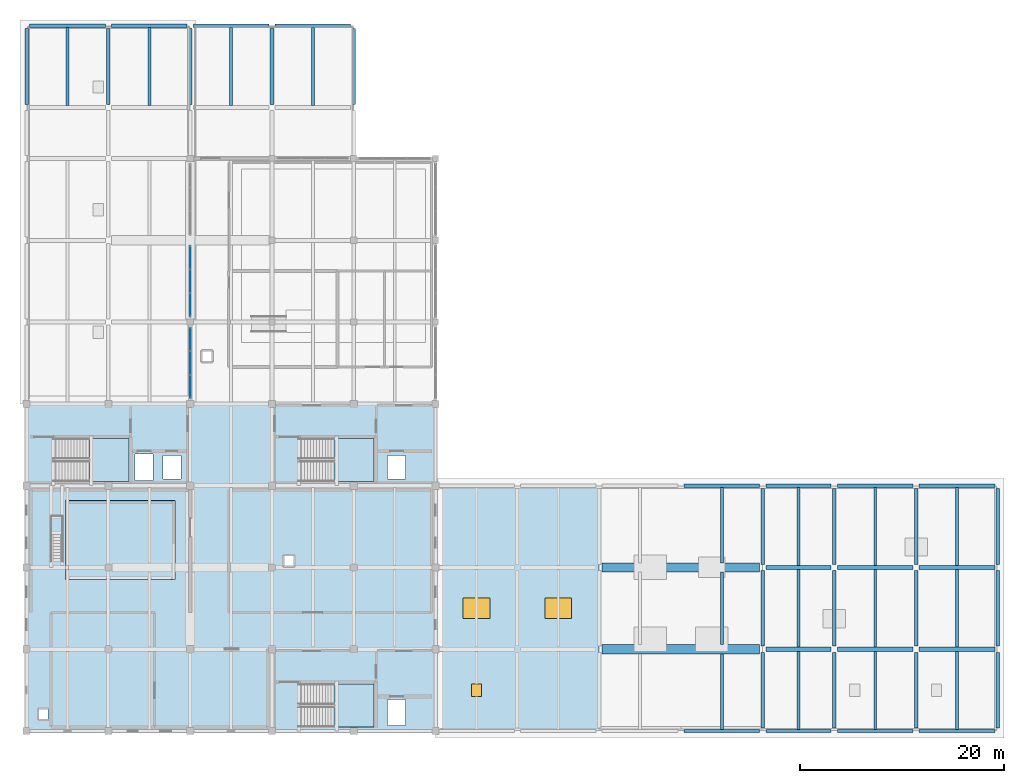
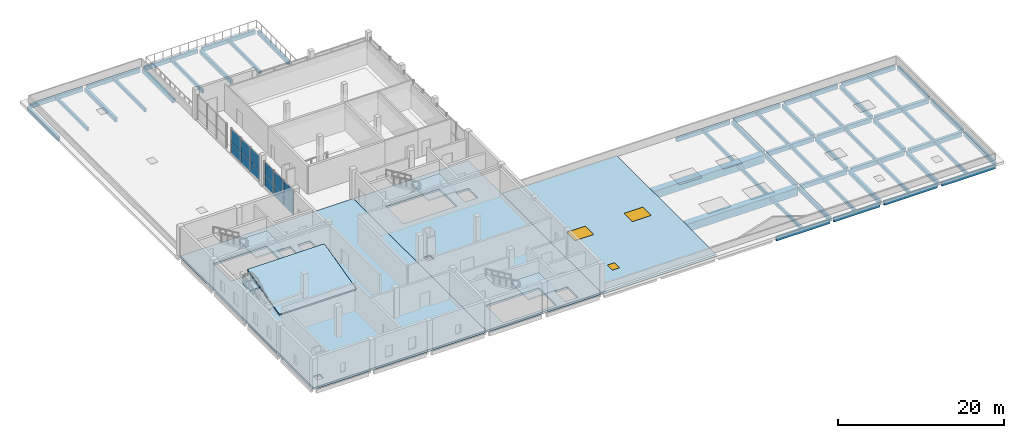
# One storey, part 7 of 14: 53 beams, 12 plates, 8 slabs, 2 windows, 1 door, 3 openings, 7 elements without a shape of their own.
"""IFC4 building model written with IfcOpenShell, lengths in metres."""

from ifc_helpers import new_model, si_unit, direction, frame, origin, origin_2d, place, context, subcontext, project, spatial, polyline, rectangle, outline, extrude, material, layer, layer_set, material_profile, profile_set, type_object, element, fill, aggregate, save


model = new_model("IFC4")

# Units and contexts
model_context = context("Model", 3, precision=1e-05, world=origin(), true_north=direction((0.0, 1.0)))
body_context = subcontext(model_context, "Body", "Model", "MODEL_VIEW")
ifc_project = project(units=[si_unit("LENGTHUNIT", "METRE"), si_unit("AREAUNIT", "SQUARE_METRE"), si_unit("VOLUMEUNIT", "CUBIC_METRE"), si_unit("PLANEANGLEUNIT", "RADIAN"), si_unit("MASSUNIT", "GRAM", prefix="KILO")], contexts=[model_context])

# Site, building, storey
site_placement = place(None, origin())
site = spatial("IfcSite", under=ifc_project, at=site_placement, CompositionType="ELEMENT")
building_placement = place(site_placement, origin())
building = spatial("IfcBuilding", under=site, at=building_placement, Name="Qorikala Patio Media Centre", CompositionType="ELEMENT")
storey_placement = place(building_placement, frame((0.0, 0.0, 23.39990234375)))
storey = spatial("IfcBuildingStorey", under=building, at=storey_placement, Name="L05", CompositionType="ELEMENT", Elevation=23.39990234375)

# Beams
ifc_material_1 = material(Name="Concrete C35/45", Category="concrete")
ifc_material_profile_1 = material_profile(ifc_material_1, rectangle(XDim=0.35009765625, YDim=0.60009765625, at=origin_2d()), Name="RC 350x600")
ifc_profile_set_1 = profile_set([ifc_material_profile_1], Name="Concrete C35/45")
beam_type_1 = type_object("IfcBeamType", Name="BM-G350X600", PredefinedType="BEAM", material=ifc_profile_set_1)
for number, where, z_axis, x_axis, name in (
    (1, (11.0, 64.300048828125, -0.599853515625), (0.0, 1.0, 0.0), (-1.0, 0.0, 0.0), "L05 Grid X=11 Beam 1574"),
    (2, (19.0, 64.300048828125, -0.599853515625), (0.0, 1.0, 0.0), (-1.0, 0.0, 0.0), "L05 Grid X=19 Beam 1581"),
    (3, (27.0, 64.300048828125, -0.599853515625), (0.0, 1.0, 0.0), (-1.0, 0.0, 0.0), "L05 Grid X=27 Beam 1590"),
    (4, (75.0, 3.300048828125, -0.599853515625), (0.0, 1.0, 0.0), (-1.0, 0.0, 0.0), "L05 Grid X=75 Beam 1611"),
    (5, (75.0, 11.300048828125, -0.599853515625), (0.0, 1.0, 0.0), (-1.0, 0.0, 0.0), "L05 Grid X=75 Beam 1612"),
    (6, (75.0, 19.300048828125, -0.599853515625), (0.0, 1.0, 0.0), (-1.0, 0.0, 0.0), "L05 Grid X=75 Beam 1613"),
    (7, (82.0, 3.300048828125, -0.599853515625), (0.0, 1.0, 0.0), (-1.0, 0.0, 0.0), "L05 Grid X=82 Beam 1614"),
    (8, (82.0, 11.300048828125, -0.599853515625), (0.0, 1.0, 0.0), (-1.0, 0.0, 0.0), "L05 Grid X=82 Beam 1615"),
    (9, (82.0, 19.300048828125, -0.599853515625), (0.0, 1.0, 0.0), (-1.0, 0.0, 0.0), "L05 Grid X=82 Beam 1616"),
    (10, (90.0, 3.300048828125, -0.599853515625), (0.0, 1.0, 0.0), (-1.0, 0.0, 0.0), "L05 Grid X=90 Beam 1617"),
    (11, (90.0, 11.300048828125, -0.599853515625), (0.0, 1.0, 0.0), (-1.0, 0.0, 0.0), "L05 Grid X=90 Beam 1618"),
    (12, (90.0, 19.300048828125, -0.599853515625), (0.0, 1.0, 0.0), (-1.0, 0.0, 0.0), "L05 Grid X=90 Beam 1619"),
):
    element("IfcBeam", number, at=place(storey_placement, frame(where, z_axis=z_axis, x_axis=x_axis)), inside=storey, type_object=beam_type_1, Name=name, PredefinedType="BEAM", context=body_context, shape_type="SweptSolid", body=[
        extrude(rectangle(XDim=0.35009765625, YDim=0.60009765625, at=origin_2d()), origin(), (0.0, 0.0, 1.0), 7.39990234375),
    ])
ifc_material_profile_2 = material_profile(ifc_material_1, rectangle(XDim=0.39990234375, YDim=0.64990234375, at=origin_2d()), Name="RC 400x650")
ifc_profile_set_2 = profile_set([ifc_material_profile_2], Name="Concrete C35/45")
beam_type_2 = type_object("IfcBeamType", Name="BM-G400X650", PredefinedType="BEAM", material=ifc_profile_set_2)
beam_1_placement = place(storey_placement, frame((75.300048828125, 11.0, -0.625), z_axis=(1.0, 0.0, 0.0), x_axis=(0.0, 1.0, 0.0)))
element("IfcBeam", 13, at=beam_1_placement, inside=storey, type_object=beam_type_2, Name="L05 Grid 11 Beam 1506", PredefinedType="BEAM", context=body_context, shape_type="SweptSolid", body=[
    extrude(rectangle(XDim=0.39990234375, YDim=0.64990234375, at=origin_2d()), origin(), (0.0, 0.0, 1.0), 6.39990234375),
])
for number, where, z_axis, x_axis, name in (
    (14, (82.300048828125, 11.0, -0.625), (1.0, 0.0, 0.0), (0.0, 1.0, 0.0), "L05 Grid 11 Beam 1507"),
    (15, (90.300048828125, 11.0, -0.625), (1.0, 0.0, 0.0), (0.0, 1.0, 0.0), "L05 Grid 11 Beam 1508"),
):
    element("IfcBeam", number, at=place(storey_placement, frame(where, z_axis=z_axis, x_axis=x_axis)), inside=storey, type_object=beam_type_2, Name=name, PredefinedType="BEAM", context=body_context, shape_type="SweptSolid", body=[
        extrude(rectangle(XDim=0.39990234375, YDim=0.64990234375, at=origin_2d()), origin(), (0.0, 0.0, 1.0), 7.39990234375),
    ])
beam_2_placement = place(storey_placement, frame((75.300048828125, 19.0, -0.625), z_axis=(1.0, 0.0, 0.0), x_axis=(0.0, 1.0, 0.0)))
element("IfcBeam", 16, at=beam_2_placement, inside=storey, type_object=beam_type_2, Name="L05 Grid 19 Beam 1516", PredefinedType="BEAM", context=body_context, shape_type="SweptSolid", body=[
    extrude(rectangle(XDim=0.39990234375, YDim=0.64990234375, at=origin_2d()), origin(), (0.0, 0.0, 1.0), 6.39990234375),
])
for number, where, z_axis, x_axis, name in (
    (17, (82.300048828125, 19.0, -0.625), (1.0, 0.0, 0.0), (0.0, 1.0, 0.0), "L05 Grid 19 Beam 1517"),
    (18, (90.300048828125, 19.0, -0.625), (1.0, 0.0, 0.0), (0.0, 1.0, 0.0), "L05 Grid 19 Beam 1518"),
):
    element("IfcBeam", number, at=place(storey_placement, frame(where, z_axis=z_axis, x_axis=x_axis)), inside=storey, type_object=beam_type_2, Name=name, PredefinedType="BEAM", context=body_context, shape_type="SweptSolid", body=[
        extrude(rectangle(XDim=0.39990234375, YDim=0.64990234375, at=origin_2d()), origin(), (0.0, 0.0, 1.0), 7.39990234375),
    ])
ifc_material_profile_3 = material_profile(ifc_material_1, rectangle(XDim=0.89990234375, YDim=1.14990234375, at=origin_2d()), Name="RC 900x1150")
ifc_profile_set_3 = profile_set([ifc_material_profile_3], Name="Concrete C35/45")
beam_type_3 = type_object("IfcBeamType", Name="BM-TR900X1150", PredefinedType="BEAM", material=ifc_profile_set_3)
for number, where, z_axis, x_axis, name in (
    (19, (59.300048828125, 11.0, -0.875), (1.0, 0.0, 0.0), (0.0, 1.0, 0.0), "L05 Grid 11 Beam 1505"),
    (20, (59.300048828125, 19.0, -0.875), (1.0, 0.0, 0.0), (0.0, 1.0, 0.0), "L05 Grid 19 Beam 1515"),
):
    element("IfcBeam", number, at=place(storey_placement, frame(where, z_axis=z_axis, x_axis=x_axis)), inside=storey, type_object=beam_type_3, Name=name, PredefinedType="BEAM", context=body_context, shape_type="SweptSolid", body=[
        extrude(rectangle(XDim=0.89990234375, YDim=1.14990234375, at=origin_2d()), origin(), (0.0, 0.0, 1.0), 15.39990234375),
    ])
ifc_material_profile_4 = material_profile(ifc_material_1, rectangle(XDim=0.280029296875, YDim=0.47998046875, at=origin_2d()), Name="RC 280x480")
ifc_profile_set_4 = profile_set([ifc_material_profile_4], Name="Concrete C35/45")
beam_type_4 = type_object("IfcBeamType", Name="JS-280X480", PredefinedType="JOIST", material=ifc_profile_set_4)
for number, where, z_axis, x_axis, name in (
    (21, (7.0, 64.199951171875, -0.539794921875), (0.0, 1.0, 0.0), (-1.0, 0.0, 0.0), "L05 Secondary Joist 1629"),
    (22, (15.0, 64.199951171875, -0.539794921875), (0.0, 1.0, 0.0), (-1.0, 0.0, 0.0), "L05 Secondary Joist 1636"),
    (23, (23.0, 64.199951171875, -0.539794921875), (0.0, 1.0, 0.0), (-1.0, 0.0, 0.0), "L05 Secondary Joist 1644"),
    (24, (31.0, 64.199951171875, -0.539794921875), (0.0, 1.0, 0.0), (-1.0, 0.0, 0.0), "L05 Secondary Joist 1650"),
):
    element("IfcBeam", number, at=place(storey_placement, frame(where, z_axis=z_axis, x_axis=x_axis)), inside=storey, type_object=beam_type_4, Name=name, PredefinedType="JOIST", context=body_context, shape_type="SweptSolid", body=[
        extrude(rectangle(XDim=0.280029296875, YDim=0.47998046875, at=origin_2d()), origin(), (0.0, 0.0, 1.0), 7.64013671875),
    ])
beam_3_placement = place(storey_placement, frame((71.0, 3.159912109375, -0.539794921875), z_axis=(0.0, 1.0, 0.0), x_axis=(-1.0, 0.0, 0.0)))
element("IfcBeam", 25, at=beam_3_placement, inside=storey, type_object=beam_type_4, Name="L05 Secondary Joist 1665", PredefinedType="JOIST", context=body_context, shape_type="SweptSolid", body=[
    extrude(rectangle(XDim=0.280029296875, YDim=0.47998046875, at=origin_2d()), origin(), (0.0, 0.0, 1.0), 7.39013671875),
])
beam_4_placement = place(storey_placement, frame((71.0, 11.449951171875, -0.539794921875), z_axis=(0.0, 1.0, 0.0), x_axis=(-1.0, 0.0, 0.0)))
element("IfcBeam", 26, at=beam_4_placement, inside=storey, type_object=beam_type_4, Name="L05 Secondary Joist 1666", PredefinedType="JOIST", context=body_context, shape_type="SweptSolid", body=[
    extrude(rectangle(XDim=0.280029296875, YDim=0.47998046875, at=origin_2d()), origin(), (0.0, 0.0, 1.0), 7.10009765625),
])
beam_5_placement = place(storey_placement, frame((71.0, 19.449951171875, -0.539794921875), z_axis=(0.0, 1.0, 0.0), x_axis=(-1.0, 0.0, 0.0)))
element("IfcBeam", 27, at=beam_5_placement, inside=storey, type_object=beam_type_4, Name="L05 Secondary Joist 1667", PredefinedType="JOIST", context=body_context, shape_type="SweptSolid", body=[
    extrude(rectangle(XDim=0.280029296875, YDim=0.47998046875, at=origin_2d()), origin(), (0.0, 0.0, 1.0), 7.39013671875),
])
beam_6_placement = place(storey_placement, frame((78.5, 3.159912109375, -0.539794921875), z_axis=(0.0, 1.0, 0.0), x_axis=(-1.0, 0.0, 0.0)))
element("IfcBeam", 28, at=beam_6_placement, inside=storey, type_object=beam_type_4, Name="L05 Secondary Joist 1668", PredefinedType="JOIST", context=body_context, shape_type="SweptSolid", body=[
    extrude(rectangle(XDim=0.280029296875, YDim=0.47998046875, at=origin_2d()), origin(), (0.0, 0.0, 1.0), 7.64013671875),
])
beam_7_placement = place(storey_placement, frame((78.5, 11.199951171875, -0.539794921875), z_axis=(0.0, 1.0, 0.0), x_axis=(-1.0, 0.0, 0.0)))
element("IfcBeam", 29, at=beam_7_placement, inside=storey, type_object=beam_type_4, Name="L05 Secondary Joist 1669", PredefinedType="JOIST", context=body_context, shape_type="SweptSolid", body=[
    extrude(rectangle(XDim=0.280029296875, YDim=0.47998046875, at=origin_2d()), origin(), (0.0, 0.0, 1.0), 7.60009765625),
])
for number, where, z_axis, x_axis, name in (
    (30, (78.5, 19.199951171875, -0.539794921875), (0.0, 1.0, 0.0), (-1.0, 0.0, 0.0), "L05 Secondary Joist 1670"),
    (31, (86.0, 3.159912109375, -0.539794921875), (0.0, 1.0, 0.0), (-1.0, 0.0, 0.0), "L05 Secondary Joist 1671"),
):
    element("IfcBeam", number, at=place(storey_placement, frame(where, z_axis=z_axis, x_axis=x_axis)), inside=storey, type_object=beam_type_4, Name=name, PredefinedType="JOIST", context=body_context, shape_type="SweptSolid", body=[
        extrude(rectangle(XDim=0.280029296875, YDim=0.47998046875, at=origin_2d()), origin(), (0.0, 0.0, 1.0), 7.64013671875),
    ])
beam_8_placement = place(storey_placement, frame((86.0, 11.199951171875, -0.539794921875), z_axis=(0.0, 1.0, 0.0), x_axis=(-1.0, 0.0, 0.0)))
element("IfcBeam", 32, at=beam_8_placement, inside=storey, type_object=beam_type_4, Name="L05 Secondary Joist 1672", PredefinedType="JOIST", context=body_context, shape_type="SweptSolid", body=[
    extrude(rectangle(XDim=0.280029296875, YDim=0.47998046875, at=origin_2d()), origin(), (0.0, 0.0, 1.0), 7.60009765625),
])
for number, where, z_axis, x_axis, name in (
    (33, (86.0, 19.199951171875, -0.539794921875), (0.0, 1.0, 0.0), (-1.0, 0.0, 0.0), "L05 Secondary Joist 1673"),
    (34, (94.0, 3.159912109375, -0.539794921875), (0.0, 1.0, 0.0), (-1.0, 0.0, 0.0), "L05 Secondary Joist 1674"),
):
    element("IfcBeam", number, at=place(storey_placement, frame(where, z_axis=z_axis, x_axis=x_axis)), inside=storey, type_object=beam_type_4, Name=name, PredefinedType="JOIST", context=body_context, shape_type="SweptSolid", body=[
        extrude(rectangle(XDim=0.280029296875, YDim=0.47998046875, at=origin_2d()), origin(), (0.0, 0.0, 1.0), 7.64013671875),
    ])
beam_9_placement = place(storey_placement, frame((94.0, 11.199951171875, -0.539794921875), z_axis=(0.0, 1.0, 0.0), x_axis=(-1.0, 0.0, 0.0)))
element("IfcBeam", 35, at=beam_9_placement, inside=storey, type_object=beam_type_4, Name="L05 Secondary Joist 1675", PredefinedType="JOIST", context=body_context, shape_type="SweptSolid", body=[
    extrude(rectangle(XDim=0.280029296875, YDim=0.47998046875, at=origin_2d()), origin(), (0.0, 0.0, 1.0), 7.60009765625),
])
beam_10_placement = place(storey_placement, frame((94.0, 19.199951171875, -0.539794921875), z_axis=(0.0, 1.0, 0.0), x_axis=(-1.0, 0.0, 0.0)))
element("IfcBeam", 36, at=beam_10_placement, inside=storey, type_object=beam_type_4, Name="L05 Secondary Joist 1676", PredefinedType="JOIST", context=body_context, shape_type="SweptSolid", body=[
    extrude(rectangle(XDim=0.280029296875, YDim=0.47998046875, at=origin_2d()), origin(), (0.0, 0.0, 1.0), 7.64013671875),
])
ifc_material_profile_5 = material_profile(ifc_material_1, rectangle(XDim=0.320068359375, YDim=0.580078125, at=origin_2d()), Name="RC 320x580")
ifc_profile_set_5 = profile_set([ifc_material_profile_5], Name="Concrete C35/45")
beam_type_5 = type_object("IfcBeamType", Name="SP-320X580", PredefinedType="SPANDREL", material=ifc_profile_set_5)
beam_11_placement = place(storey_placement, frame((67.300048828125, 3.0, -0.58984375), z_axis=(1.0, 0.0, 0.0), x_axis=(0.0, 1.0, 0.0)))
element("IfcBeam", 37, at=beam_11_placement, inside=storey, type_object=beam_type_5, Name="L05 Grid 3 Beam 1494", PredefinedType="SPANDREL", context=body_context, shape_type="SweptSolid", body=[
    extrude(rectangle(XDim=0.320068359375, YDim=0.580078125, at=origin_2d()), origin(), (0.0, 0.0, 1.0), 7.39990234375),
])
beam_12_placement = place(storey_placement, frame((75.300048828125, 3.0, -0.58984375), z_axis=(1.0, 0.0, 0.0), x_axis=(0.0, 1.0, 0.0)))
element("IfcBeam", 38, at=beam_12_placement, inside=storey, type_object=beam_type_5, Name="L05 Grid 3 Beam 1495", PredefinedType="SPANDREL", context=body_context, shape_type="SweptSolid", body=[
    extrude(rectangle(XDim=0.320068359375, YDim=0.580078125, at=origin_2d()), origin(), (0.0, 0.0, 1.0), 6.39990234375),
])
for number, where, z_axis, x_axis, name in (
    (39, (82.300048828125, 3.0, -0.58984375), (1.0, 0.0, 0.0), (0.0, 1.0, 0.0), "L05 Grid 3 Beam 1496"),
    (40, (90.300048828125, 3.0, -0.58984375), (1.0, 0.0, 0.0), (0.0, 1.0, 0.0), "L05 Grid 3 Beam 1497"),
    (41, (67.300048828125, 27.0, -0.58984375), (1.0, 0.0, 0.0), (0.0, 1.0, 0.0), "L05 Grid 27 Beam 1527"),
):
    element("IfcBeam", number, at=place(storey_placement, frame(where, z_axis=z_axis, x_axis=x_axis)), inside=storey, type_object=beam_type_5, Name=name, PredefinedType="SPANDREL", context=body_context, shape_type="SweptSolid", body=[
        extrude(rectangle(XDim=0.320068359375, YDim=0.580078125, at=origin_2d()), origin(), (0.0, 0.0, 1.0), 7.39990234375),
    ])
beam_13_placement = place(storey_placement, frame((75.300048828125, 27.0, -0.58984375), z_axis=(1.0, 0.0, 0.0), x_axis=(0.0, 1.0, 0.0)))
element("IfcBeam", 42, at=beam_13_placement, inside=storey, type_object=beam_type_5, Name="L05 Grid 27 Beam 1528", PredefinedType="SPANDREL", context=body_context, shape_type="SweptSolid", body=[
    extrude(rectangle(XDim=0.320068359375, YDim=0.580078125, at=origin_2d()), origin(), (0.0, 0.0, 1.0), 6.39990234375),
])
for number, where, z_axis, x_axis, name in (
    (43, (82.300048828125, 27.0, -0.58984375), (1.0, 0.0, 0.0), (0.0, 1.0, 0.0), "L05 Grid 27 Beam 1529"),
    (44, (90.300048828125, 27.0, -0.58984375), (1.0, 0.0, 0.0), (0.0, 1.0, 0.0), "L05 Grid 27 Beam 1530"),
    (45, (3.300048828125, 72.0, -0.58984375), (1.0, 0.0, 0.0), (0.0, 1.0, 0.0), "L05 Grid 72 Beam 1554"),
    (46, (11.300048828125, 72.0, -0.58984375), (1.0, 0.0, 0.0), (0.0, 1.0, 0.0), "L05 Grid 72 Beam 1555"),
    (47, (19.300048828125, 72.0, -0.58984375), (1.0, 0.0, 0.0), (0.0, 1.0, 0.0), "L05 Grid 72 Beam 1556"),
    (48, (27.300048828125, 72.0, -0.58984375), (1.0, 0.0, 0.0), (0.0, 1.0, 0.0), "L05 Grid 72 Beam 1557"),
    (49, (3.0, 64.300048828125, -0.58984375), (0.0, 1.0, 0.0), (-1.0, 0.0, 0.0), "L05 Grid X=3 Beam 1566"),
    (50, (35.0, 64.300048828125, -0.58984375), (0.0, 1.0, 0.0), (-1.0, 0.0, 0.0), "L05 Grid X=35 Beam 1597"),
    (51, (98.0, 3.300048828125, -0.58984375), (0.0, 1.0, 0.0), (-1.0, 0.0, 0.0), "L05 Grid X=98 Beam 1620"),
    (52, (98.0, 11.300048828125, -0.58984375), (0.0, 1.0, 0.0), (-1.0, 0.0, 0.0), "L05 Grid X=98 Beam 1621"),
    (53, (98.0, 19.300048828125, -0.58984375), (0.0, 1.0, 0.0), (-1.0, 0.0, 0.0), "L05 Grid X=98 Beam 1622"),
):
    element("IfcBeam", number, at=place(storey_placement, frame(where, z_axis=z_axis, x_axis=x_axis)), inside=storey, type_object=beam_type_5, Name=name, PredefinedType="SPANDREL", context=body_context, shape_type="SweptSolid", body=[
        extrude(rectangle(XDim=0.320068359375, YDim=0.580078125, at=origin_2d()), origin(), (0.0, 0.0, 1.0), 7.39990234375),
    ])

# Curtain wall, plates
ifc_material_2 = material(Name="Bronze Anodised Aluminium and Low-E Glass", Category="aluminium")
ifc_layer_1 = layer(ifc_material_2, 0.159912109375)
ifc_layer_set_1 = layer_set([ifc_layer_1], Name="Bronze Anodised Aluminium and Low-E Glass")
curtain_wall_type = type_object("IfcCurtainWallType", Name="CW-PAV-696X375", PredefinedType="USERDEFINED", material=ifc_layer_set_1)
curtain_wall_1_placement = place(storey_placement, origin())
curtain_wall_1 = element("IfcCurtainWall", 54, at=curtain_wall_1_placement, inside=storey, type_object=curtain_wall_type, Name="L05 Courtyard Curtain Wall 092", ObjectType="COURTYARD CURTAIN WALL", PredefinedType="USERDEFINED")
ifc_material_3 = material(Name="Low-E Double Glazing Glass", Category="glass")
ifc_layer_2 = layer(ifc_material_3, 0.028076171875)
ifc_layer_set_2 = layer_set([ifc_layer_2], Name="Low-E Double Glazing Glass")
plate_type = type_object("IfcPlateType", Name="CWP-28", PredefinedType="CURTAIN_PANEL", material=ifc_layer_set_2)
plate_1_placement = place(storey_placement, frame((19.0, 36.695068359375, 0.06005859375), z_axis=(0.0, 0.0, 1.0), x_axis=(0.0, 1.0, 0.0)))
plate_1 = element("IfcPlate", 55, at=plate_1_placement, type_object=plate_type, Name="CWP696375 panel 1.1", PredefinedType="CURTAIN_PANEL", context=body_context, shape_type="SweptSolid", body=[
    extrude(rectangle(XDim=2.22998046875, YDim=0.028076171875, at=origin_2d()), origin(), (0.0, 0.0, 1.0), 1.597412109375),
])
plate_2_placement = place(storey_placement, frame((19.0, 36.695068359375, 1.7177734375), z_axis=(0.0, 0.0, 1.0), x_axis=(0.0, 1.0, 0.0)))
plate_2 = element("IfcPlate", 56, at=plate_2_placement, type_object=plate_type, Name="CWP696375 panel 1.2", PredefinedType="CURTAIN_PANEL", context=body_context, shape_type="SweptSolid", body=[
    extrude(rectangle(XDim=2.22998046875, YDim=0.028076171875, at=origin_2d()), origin(), (0.0, 0.0, 1.0), 1.972412109375),
])
plate_3_placement = place(storey_placement, frame((19.0, 39.0, 0.06005859375), z_axis=(0.0, 0.0, 1.0), x_axis=(0.0, 1.0, 0.0)))
plate_3 = element("IfcPlate", 57, at=plate_3_placement, type_object=plate_type, Name="CWP696375 panel 2.1", PredefinedType="CURTAIN_PANEL", context=body_context, shape_type="SweptSolid", body=[
    extrude(rectangle(XDim=2.260009765625, YDim=0.028076171875, at=origin_2d()), origin(), (0.0, 0.0, 1.0), 1.597412109375),
])
plate_4_placement = place(storey_placement, frame((19.0, 39.0, 1.7177734375), z_axis=(0.0, 0.0, 1.0), x_axis=(0.0, 1.0, 0.0)))
plate_4 = element("IfcPlate", 58, at=plate_4_placement, type_object=plate_type, Name="CWP696375 panel 2.2", PredefinedType="CURTAIN_PANEL", context=body_context, shape_type="SweptSolid", body=[
    extrude(rectangle(XDim=2.260009765625, YDim=0.028076171875, at=origin_2d()), origin(), (0.0, 0.0, 1.0), 1.972412109375),
])
plate_5_placement = place(storey_placement, frame((19.0, 41.304931640625, 0.06005859375), z_axis=(0.0, 0.0, 1.0), x_axis=(0.0, 1.0, 0.0)))
plate_5 = element("IfcPlate", 59, at=plate_5_placement, type_object=plate_type, Name="CWP696375 panel 3.1", PredefinedType="CURTAIN_PANEL", context=body_context, shape_type="SweptSolid", body=[
    extrude(rectangle(XDim=2.22998046875, YDim=0.028076171875, at=origin_2d()), origin(), (0.0, 0.0, 1.0), 1.597412109375),
])
plate_6_placement = place(storey_placement, frame((19.0, 41.304931640625, 1.7177734375), z_axis=(0.0, 0.0, 1.0), x_axis=(0.0, 1.0, 0.0)))
plate_6 = element("IfcPlate", 60, at=plate_6_placement, type_object=plate_type, Name="CWP696375 panel 3.2", PredefinedType="CURTAIN_PANEL", context=body_context, shape_type="SweptSolid", body=[
    extrude(rectangle(XDim=2.22998046875, YDim=0.028076171875, at=origin_2d()), origin(), (0.0, 0.0, 1.0), 1.972412109375),
])
aggregate(curtain_wall_1, [plate_1, plate_2, plate_3, plate_4, plate_5, plate_6])

curtain_wall_2_placement = place(storey_placement, origin())
curtain_wall_2 = element("IfcCurtainWall", 61, at=curtain_wall_2_placement, inside=storey, type_object=curtain_wall_type, Name="L05 Courtyard Curtain Wall 093", ObjectType="COURTYARD CURTAIN WALL", PredefinedType="USERDEFINED")
plate_7_placement = place(storey_placement, frame((19.0, 44.695068359375, 0.06005859375), z_axis=(0.0, 0.0, 1.0), x_axis=(0.0, 1.0, 0.0)))
plate_7 = element("IfcPlate", 62, at=plate_7_placement, type_object=plate_type, Name="CWP696375 panel 1.1", PredefinedType="CURTAIN_PANEL", context=body_context, shape_type="SweptSolid", body=[
    extrude(rectangle(XDim=2.22998046875, YDim=0.028076171875, at=origin_2d()), origin(), (0.0, 0.0, 1.0), 1.597412109375),
])
plate_8_placement = place(storey_placement, frame((19.0, 44.695068359375, 1.7177734375), z_axis=(0.0, 0.0, 1.0), x_axis=(0.0, 1.0, 0.0)))
plate_8 = element("IfcPlate", 63, at=plate_8_placement, type_object=plate_type, Name="CWP696375 panel 1.2", PredefinedType="CURTAIN_PANEL", context=body_context, shape_type="SweptSolid", body=[
    extrude(rectangle(XDim=2.22998046875, YDim=0.028076171875, at=origin_2d()), origin(), (0.0, 0.0, 1.0), 1.972412109375),
])
plate_9_placement = place(storey_placement, frame((19.0, 47.0, 0.06005859375), z_axis=(0.0, 0.0, 1.0), x_axis=(0.0, 1.0, 0.0)))
plate_9 = element("IfcPlate", 64, at=plate_9_placement, type_object=plate_type, Name="CWP696375 panel 2.1", PredefinedType="CURTAIN_PANEL", context=body_context, shape_type="SweptSolid", body=[
    extrude(rectangle(XDim=2.260009765625, YDim=0.028076171875, at=origin_2d()), origin(), (0.0, 0.0, 1.0), 1.597412109375),
])
plate_10_placement = place(storey_placement, frame((19.0, 47.0, 1.7177734375), z_axis=(0.0, 0.0, 1.0), x_axis=(0.0, 1.0, 0.0)))
plate_10 = element("IfcPlate", 65, at=plate_10_placement, type_object=plate_type, Name="CWP696375 panel 2.2", PredefinedType="CURTAIN_PANEL", context=body_context, shape_type="SweptSolid", body=[
    extrude(rectangle(XDim=2.260009765625, YDim=0.028076171875, at=origin_2d()), origin(), (0.0, 0.0, 1.0), 1.972412109375),
])
plate_11_placement = place(storey_placement, frame((19.0, 49.304931640625, 0.06005859375), z_axis=(0.0, 0.0, 1.0), x_axis=(0.0, 1.0, 0.0)))
plate_11 = element("IfcPlate", 66, at=plate_11_placement, type_object=plate_type, Name="CWP696375 panel 3.1", PredefinedType="CURTAIN_PANEL", context=body_context, shape_type="SweptSolid", body=[
    extrude(rectangle(XDim=2.22998046875, YDim=0.028076171875, at=origin_2d()), origin(), (0.0, 0.0, 1.0), 1.597412109375),
])
plate_12_placement = place(storey_placement, frame((19.0, 49.304931640625, 1.7177734375), z_axis=(0.0, 0.0, 1.0), x_axis=(0.0, 1.0, 0.0)))
plate_12 = element("IfcPlate", 67, at=plate_12_placement, type_object=plate_type, Name="CWP696375 panel 3.2", PredefinedType="CURTAIN_PANEL", context=body_context, shape_type="SweptSolid", body=[
    extrude(rectangle(XDim=2.22998046875, YDim=0.028076171875, at=origin_2d()), origin(), (0.0, 0.0, 1.0), 1.972412109375),
])
aggregate(curtain_wall_2, [plate_7, plate_8, plate_9, plate_10, plate_11, plate_12])

# Slabs
ifc_layer_3 = layer(ifc_material_1, 0.300048828125)
ifc_layer_set_3 = layer_set([ifc_layer_3], Name="Concrete C35/45")
slab_type_1 = type_object("IfcSlabType", Name="SL-FLOOR-300", PredefinedType="FLOOR", material=ifc_layer_set_3)
slab_1_placement = place(storey_placement, frame((0.0, 0.0, -0.2998046875)))
element("IfcSlab", 68, at=slab_1_placement, inside=storey, type_object=slab_type_1, Name="L05 V1A Slab 1.1", PredefinedType="FLOOR", context=body_context, shape_type="SweptSolid", body=[
    extrude(outline(polyline([(3.0, 35.0), (27.0, 35.0), (27.0, 3.0), (3.0, 3.0), (3.0, 35.0)]), holes=[polyline([(5.10009765625, 5.10009765625), (4.199951171875, 5.10009765625), (4.199951171875, 4.199951171875), (5.10009765625, 4.199951171875), (5.10009765625, 5.10009765625)]), polyline([(15.3798828125, 27.52001953125), (15.3798828125, 30.080078125), (13.6201171875, 30.080078125), (13.6201171875, 27.52001953125), (15.3798828125, 27.52001953125)]), polyline([(18.080078125, 29.929931640625), (16.320068359375, 29.929931640625), (16.320068359375, 27.669921875), (18.080078125, 27.669921875), (18.080078125, 29.929931640625)]), polyline([(13.0, 31.60009765625), (5.60009765625, 31.60009765625), (5.60009765625, 27.39990234375), (13.0, 27.39990234375), (13.0, 31.60009765625)])]), origin(), (0.0, 0.0, 1.0), 0.2998046875),
])
slab_2_placement = place(storey_placement, frame((0.0, 0.0, -0.2998046875)))
element("IfcSlab", 69, at=slab_2_placement, inside=storey, type_object=slab_type_1, Name="L05 V1B Slab 2.1", PredefinedType="FLOOR", context=body_context, shape_type="SweptSolid", body=[
    extrude(outline(polyline([(43.0, 3.0), (27.0, 3.0), (27.0, 35.0), (43.0, 35.0), (43.0, 3.0)]), holes=[polyline([(40.080078125, 6.080078125), (38.320068359375, 6.080078125), (38.320068359375, 3.52001953125), (40.080078125, 3.52001953125), (40.080078125, 6.080078125)]), polyline([(37.0, 7.60009765625), (29.60009765625, 7.60009765625), (29.60009765625, 3.39990234375), (37.0, 3.39990234375), (37.0, 7.60009765625)]), polyline([(29.10009765625, 19.199951171875), (29.10009765625, 20.10009765625), (28.199951171875, 20.10009765625), (28.199951171875, 19.199951171875), (29.10009765625, 19.199951171875)]), polyline([(40.080078125, 29.929931640625), (38.320068359375, 29.929931640625), (38.320068359375, 27.669921875), (40.080078125, 27.669921875), (40.080078125, 29.929931640625)]), polyline([(37.0, 27.39990234375), (37.0, 31.60009765625), (29.60009765625, 31.60009765625), (29.60009765625, 27.39990234375), (37.0, 27.39990234375)])]), origin(), (0.0, 0.0, 1.0), 0.2998046875),
])

# Stair, slab
ifc_material_4 = material(Name="Precast concrete C40/50", Category="concrete")
stair_type_1 = type_object("IfcStairType", Name="ST-DL-26R173W200", PredefinedType="HALF_TURN_STAIR", material=ifc_material_4)
stair_1_placement = place(storey_placement, origin())
stair_1 = element("IfcStair", 70, at=stair_1_placement, inside=storey, type_object=stair_type_1, Name="L05 Core C1 Exit Stair ST-1", PredefinedType="HALF_TURN_STAIR")
ifc_layer_4 = layer(ifc_material_4, 0.199951171875)
ifc_layer_set_4 = layer_set([ifc_layer_4], Name="Precast concrete C40/50")
slab_type_2 = type_object("IfcSlabType", Name="SL-LAND-200", PredefinedType="LANDING", material=ifc_layer_set_4)
slab_3_placement = place(storey_placement, frame((0.0, 0.0, 2.050048828125)))
slab_3 = element("IfcSlab", 71, at=slab_3_placement, type_object=slab_type_2, Name="ST-1 landing 1", PredefinedType="LANDING", context=body_context, shape_type="SweptSolid", body=[
    extrude(outline(polyline([(33.080078125, 3.39990234375), (37.0, 3.39990234375), (37.0, 7.60009765625), (33.080078125, 7.60009765625), (33.080078125, 3.39990234375)])), origin(), (0.0, 0.0, 1.0), 0.199951171875),
])
aggregate(stair_1, [slab_3])

stair_2_placement = place(storey_placement, origin())
stair_2 = element("IfcStair", 72, at=stair_2_placement, inside=storey, type_object=stair_type_1, Name="L05 Core C2 Exit Stair ST-2", PredefinedType="HALF_TURN_STAIR")
slab_4_placement = place(storey_placement, frame((0.0, 0.0, 2.050048828125)))
slab_4 = element("IfcSlab", 73, at=slab_4_placement, type_object=slab_type_2, Name="ST-2 landing 1", PredefinedType="LANDING", context=body_context, shape_type="SweptSolid", body=[
    extrude(outline(polyline([(9.080078125, 27.39990234375), (13.0, 27.39990234375), (13.0, 31.60009765625), (9.080078125, 31.60009765625), (9.080078125, 27.39990234375)])), origin(), (0.0, 0.0, 1.0), 0.199951171875),
])
aggregate(stair_2, [slab_4])

stair_3_placement = place(storey_placement, origin())
stair_3 = element("IfcStair", 74, at=stair_3_placement, inside=storey, type_object=stair_type_1, Name="L05 Core C5 Exit Stair ST-5", PredefinedType="HALF_TURN_STAIR")
slab_5_placement = place(storey_placement, frame((0.0, 0.0, 2.050048828125)))
slab_5 = element("IfcSlab", 75, at=slab_5_placement, type_object=slab_type_2, Name="ST-5 landing 1", PredefinedType="LANDING", context=body_context, shape_type="SweptSolid", body=[
    extrude(outline(polyline([(33.080078125, 27.39990234375), (37.0, 27.39990234375), (37.0, 31.60009765625), (33.080078125, 31.60009765625), (33.080078125, 27.39990234375)])), origin(), (0.0, 0.0, 1.0), 0.199951171875),
])
aggregate(stair_3, [slab_5])

stair_type_2 = type_object("IfcStairType", Name="ST-VOM-STR", PredefinedType="STRAIGHT_RUN_STAIR", material=ifc_material_1)
stair_4_placement = place(storey_placement, origin())
stair_4 = element("IfcStair", 76, at=stair_4_placement, inside=storey, type_object=stair_type_2, Name="Vomitory Stair VS-07", PredefinedType="STRAIGHT_RUN_STAIR")
slab_6_placement = place(storey_placement, frame((0.0, 0.0, 1.60009765625)))
slab_6 = element("IfcSlab", 77, at=slab_6_placement, type_object=slab_type_2, Name="VS-07 landing 1", PredefinedType="LANDING", context=body_context, shape_type="SweptSolid", body=[
    extrude(outline(polyline([(5.324951171875, 22.25), (6.574951171875, 22.25), (6.574951171875, 24.050048828125), (5.324951171875, 24.050048828125), (5.324951171875, 22.25)])), origin(), (0.0, 0.0, 1.0), 0.199951171875),
])
aggregate(stair_4, [slab_6])

# Roof, slab, openings, door, windows
roof_type = type_object("IfcRoofType", Name="ROOF-FLAT", PredefinedType="FLAT_ROOF", material=ifc_material_1)
roof_placement = place(storey_placement, origin())
roof = element("IfcRoof", 78, at=roof_placement, inside=storey, type_object=roof_type, Name="L05 Flat Roof RF-V2-1", PredefinedType="FLAT_ROOF")
ifc_layer_5 = layer(ifc_material_1, 0.260009765625)
ifc_layer_set_5 = layer_set([ifc_layer_5], Name="Concrete C35/45")
slab_type_3 = type_object("IfcSlabType", Name="SL-ROOF-180", PredefinedType="ROOF", material=ifc_layer_set_5)
slab_7_placement = place(storey_placement, frame((0.0, 0.0, -0.2998046875)))
slab_7 = element("IfcSlab", 79, at=slab_7_placement, type_object=slab_type_3, Name="L05 Flat Roof Slab RF-V2-1", PredefinedType="ROOF", context=body_context, shape_type="SweptSolid", body=[
    extrude(outline(polyline([(43.0, 3.0), (59.0, 3.0), (59.0, 27.0), (43.0, 27.0), (43.0, 3.0)])), origin(), (0.0, 0.0, 1.0), 0.2998046875),
])
opening_1_placement = place(slab_7_placement, frame((47.0, 15.0, 0.0)))
opening_1 = element("IfcOpeningElement", 80, at=opening_1_placement, cuts=slab_7, Name="Opening SK-260", PredefinedType="OPENING", context=body_context, shape_type="SweptSolid", body=[
    extrude(rectangle(XDim=2.60009765625, YDim=2.0, at=origin_2d()), frame((0.0, 0.0, -0.010009765625)), (0.0, 0.0, 1.0), 0.31982421875),
])
opening_2_placement = place(slab_7_placement, frame((55.0, 15.0, 0.0)))
opening_2 = element("IfcOpeningElement", 81, at=opening_2_placement, cuts=slab_7, Name="Opening SK-260", PredefinedType="OPENING", context=body_context, shape_type="SweptSolid", body=[
    extrude(rectangle(XDim=2.60009765625, YDim=2.0, at=origin_2d()), frame((0.0, 0.0, -0.010009765625)), (0.0, 0.0, 1.0), 0.31982421875),
])
opening_3_placement = place(slab_7_placement, frame((47.0, 7.0, 0.0)))
opening_3 = element("IfcOpeningElement", 82, at=opening_3_placement, cuts=slab_7, Name="Opening TH01", PredefinedType="OPENING", context=body_context, shape_type="SweptSolid", body=[
    extrude(rectangle(XDim=1.0, YDim=1.199951171875, at=origin_2d()), frame((0.0, 0.0, -0.010009765625)), (0.0, 0.0, 1.0), 0.31982421875),
])
ifc_material_5 = material(Name="Insulated Aluminium Trapdoor", Category="aluminium")
door_type = type_object("IfcDoorType", Name="DR-HAT-100X120", OperationType="NOTDEFINED", PredefinedType="TRAPDOOR", material=ifc_material_5)
door_placement = place(opening_3_placement, frame((0.0, 0.0, 0.249755859375)))
door = element("IfcDoor", 83, at=door_placement, inside=storey, type_object=door_type, Name="L05 Roof Maintenance Access Hatch TH-01", OperationType="SINGLE_SWING_LEFT", OverallHeight=1.199951171875, OverallWidth=1.0, PredefinedType="TRAPDOOR", context=body_context, shape_type="SweptSolid", body=[
    extrude(rectangle(XDim=1.0, YDim=1.199951171875, at=origin_2d()), origin(), (0.0, 0.0, 1.0), 0.050048828125),
])
fill(opening_3, door)
ifc_material_6 = material(Name="Laminated Hail-Resistant Low-E Skylight Glass", Category="glass")
window_type = type_object("IfcWindowType", Name="SK-FOY-260X200", PartitioningType="SINGLE_PANEL", PredefinedType="SKYLIGHT", material=ifc_material_6)
window_1_placement = place(opening_1_placement, frame((0.0, 0.0, 0.249755859375)))
window_1 = element("IfcWindow", 84, at=window_1_placement, inside=storey, type_object=window_type, Name="L05 Roof Skylight SK-05", OverallHeight=2.0, OverallWidth=2.60009765625, PartitioningType="SINGLE_PANEL", PredefinedType="SKYLIGHT", context=body_context, shape_type="SweptSolid", body=[
    extrude(rectangle(XDim=2.60009765625, YDim=2.0, at=origin_2d()), origin(), (0.0, 0.0, 1.0), 0.050048828125),
])
fill(opening_1, window_1)
window_2_placement = place(opening_2_placement, frame((0.0, 0.0, 0.249755859375)))
window_2 = element("IfcWindow", 85, at=window_2_placement, inside=storey, type_object=window_type, Name="L05 Roof Skylight SK-06", OverallHeight=2.0, OverallWidth=2.60009765625, PartitioningType="SINGLE_PANEL", PredefinedType="SKYLIGHT", context=body_context, shape_type="SweptSolid", body=[
    extrude(rectangle(XDim=2.60009765625, YDim=2.0, at=origin_2d()), origin(), (0.0, 0.0, 1.0), 0.050048828125),
])
fill(opening_2, window_2)
aggregate(roof, [slab_7])

# Slab
ifc_layer_6 = layer(ifc_material_1, 0.239990234375)
ifc_layer_set_6 = layer_set([ifc_layer_6], Name="Concrete C35/45")
slab_type_4 = type_object("IfcSlabType", Name="SL-TIER-240", PredefinedType="USERDEFINED", material=ifc_layer_set_6)
slab_8_placement = place(storey_placement, frame((6.800048828125, 17.800048828125, 0.5), z_axis=(0.0, -0.245521317712, 0.969391191702), x_axis=(1.0, 0.0, 0.0)))
element("IfcSlab", 86, at=slab_8_placement, inside=storey, type_object=slab_type_4, Name="Premiere Cinema Screen 7 Main Raked Seating Tier", ObjectType="SEATING TIER", PredefinedType="USERDEFINED", context=body_context, shape_type="SweptSolid", body=[
    extrude(outline(polyline([(0.0, 0.0), (10.699951171875, 0.0), (10.699951171875, 7.943079365470053), (0.0, 7.943079365470053), (0.0, 0.0)])), origin(), (0.0, 0.0, -1.0), 0.239990234375),
])

save(model, "model.ifc")
